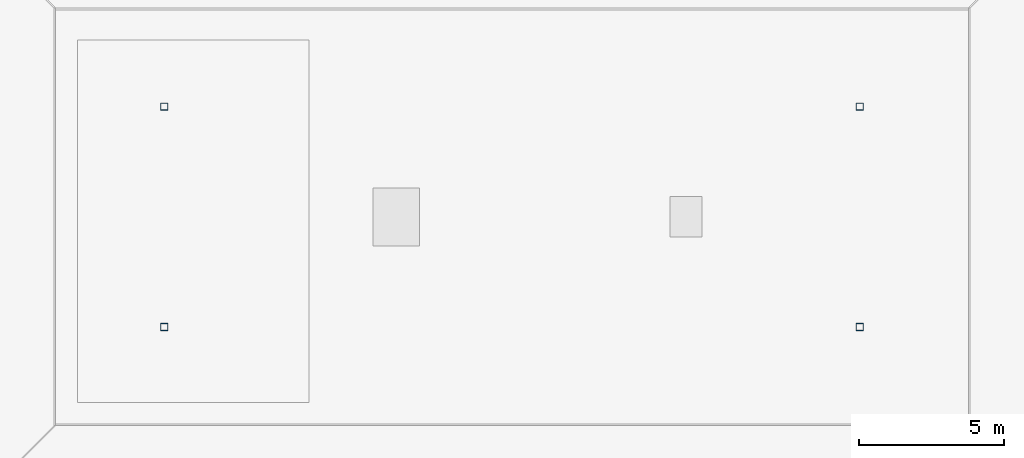
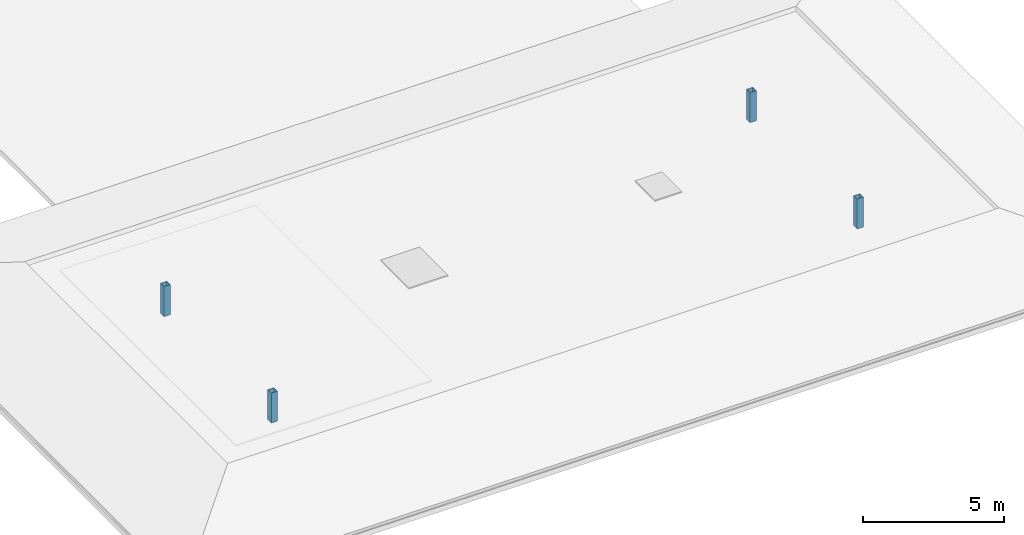
# One storey, part 2 of 50: 4 columns.
"""IFC4 building model written with IfcOpenShell, lengths in metres."""

from ifc_helpers import new_model, si_unit, direction, frame, origin, origin_2d, place, context, subcontext, project, spatial, hollow_rectangle, extrude, material, material_profile, profile_set, type_object, element, save


model = new_model("IFC4")

# Units and contexts
model_context = context("Model", 3, precision=1e-05, world=origin(), true_north=direction((0.0, 1.0)))
body_context = subcontext(model_context, "Body", "Model", "MODEL_VIEW")
ifc_project = project(units=[si_unit("LENGTHUNIT", "METRE"), si_unit("AREAUNIT", "SQUARE_METRE"), si_unit("VOLUMEUNIT", "CUBIC_METRE"), si_unit("PLANEANGLEUNIT", "RADIAN"), si_unit("MASSUNIT", "GRAM", prefix="KILO")], contexts=[model_context])

# Site, building, storey
site_placement = place(None, origin())
site = spatial("IfcSite", under=ifc_project, at=site_placement, CompositionType="ELEMENT")
building_placement = place(site_placement, origin())
building = spatial("IfcBuilding", under=site, at=building_placement, Name="Zantavel Square City Hall", CompositionType="ELEMENT")
storey_placement = place(building_placement, frame((0.0, 0.0, 18.89990234375)))
storey = spatial("IfcBuildingStorey", under=building, at=storey_placement, Name="L05", CompositionType="ELEMENT", Elevation=18.89990234375)

# Columns
ifc_material = material(Name="Steel ASTM A500 Grade B", Category="steel")
ifc_material_profile = material_profile(ifc_material, hollow_rectangle(XDim=0.25390625, YDim=0.25390625, WallThickness=0.0126953125, at=origin_2d()), Name="HSS 254x254x12.7")
ifc_profile_set = profile_set([ifc_material_profile], Name="Steel ASTM A500 Grade B")
column_type = type_object("IfcColumnType", Name="Pavilion Steel Column HSS254", PredefinedType="COLUMN", material=ifc_profile_set)
for number, where, z_axis, x_axis, name in (
    (1, (112.0, 83.60009765625, 0.0), (0.0, 0.0, 1.0), (1.0, 0.0, 0.0), "ROOF-V4-MANSARD Attic Support Post 1"),
    (2, (136.0, 83.60009765625, 0.0), (0.0, 0.0, 1.0), (1.0, 0.0, 0.0), "ROOF-V4-MANSARD Attic Support Post 2"),
    (3, (112.0, 91.199951171875, 0.0), (0.0, 0.0, 1.0), (1.0, 0.0, 0.0), "ROOF-V4-MANSARD Attic Support Post 3"),
    (4, (136.0, 91.199951171875, 0.0), (0.0, 0.0, 1.0), (1.0, 0.0, 0.0), "ROOF-V4-MANSARD Attic Support Post 4"),
):
    element("IfcColumn", number, at=place(storey_placement, frame(where, z_axis=z_axis, x_axis=x_axis)), inside=storey, type_object=column_type, Name=name, PredefinedType="COLUMN", context=body_context, shape_type="SweptSolid", body=[
        extrude(hollow_rectangle(XDim=0.25390625, YDim=0.25390625, WallThickness=0.0126953125, at=origin_2d()), origin(), (0.0, 0.0, 1.0), 1.29296875),
    ])

save(model, "model.ifc")
